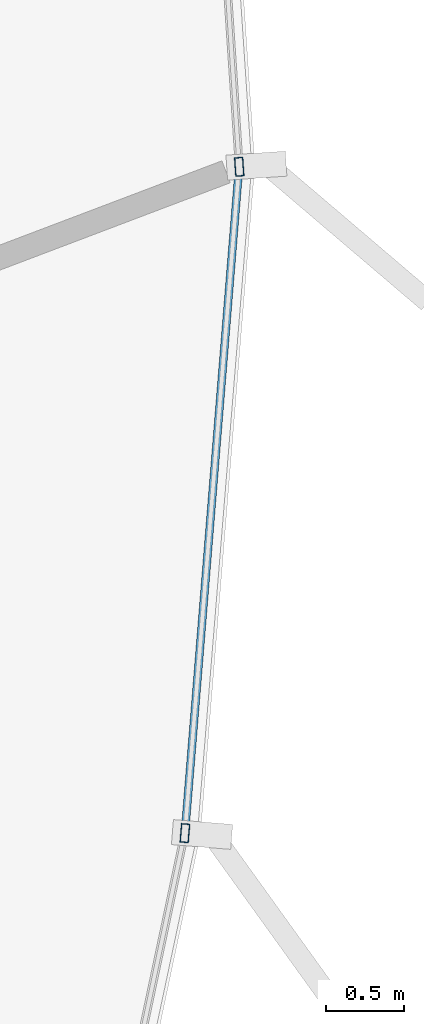
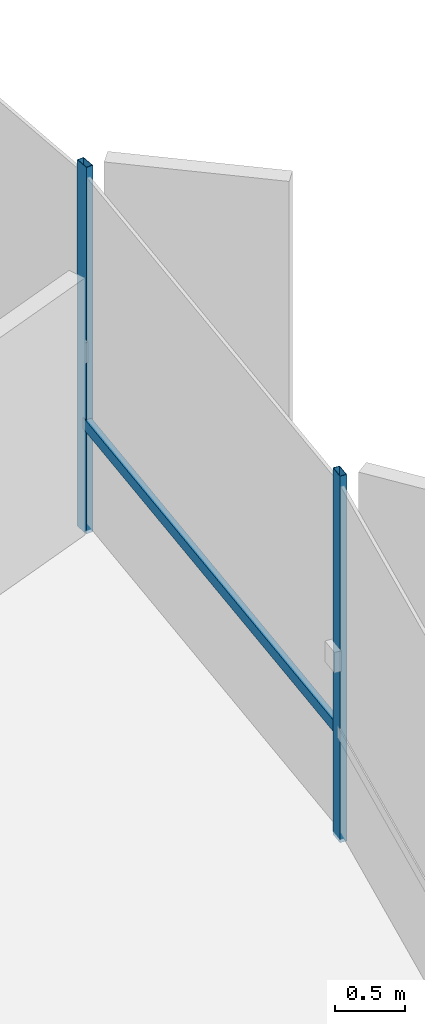
# One storey, part 18 of 35: 3 members, 1 element without a shape of its own.
"""IFC4 building model written with IfcOpenShell, lengths in metres."""

from ifc_helpers import new_model, si_unit, direction, frame, origin, origin_2d, place, context, subcontext, project, spatial, hollow_rectangle, extrude, source, transform, mapped, material, layer, layer_set, material_profile, profile_set, type_object, element, aggregate, save


model = new_model("IFC4")

# Units and contexts
model_context = context("Model", 3, precision=1e-05, world=origin(), true_north=direction((0.0, 1.0)))
body_context = subcontext(model_context, "Body", "Model", "MODEL_VIEW")
ifc_project = project(units=[si_unit("LENGTHUNIT", "METRE"), si_unit("AREAUNIT", "SQUARE_METRE"), si_unit("VOLUMEUNIT", "CUBIC_METRE"), si_unit("PLANEANGLEUNIT", "RADIAN"), si_unit("MASSUNIT", "GRAM", prefix="KILO"), si_unit("THERMODYNAMICTEMPERATUREUNIT", "KELVIN")], contexts=[model_context])

# Site, building, storey
site_placement = place(None, origin())
site = spatial("IfcSite", under=ifc_project, at=site_placement, CompositionType="ELEMENT")
building_placement = place(site_placement, origin())
building = spatial("IfcBuilding", under=site, at=building_placement, Name="Kethvar Cultural Tower", CompositionType="ELEMENT")
storey_placement = place(building_placement, frame((0.0, 0.0, 245.64990234375)))
storey = spatial("IfcBuildingStorey", under=building, at=storey_placement, Name="L64", CompositionType="ELEMENT", Elevation=245.64990234375)

# Curtain wall, members
ifc_material = material(Name="Aluminium 6063-T6", Category="aluminium")
ifc_layer = layer(ifc_material, 0.179931640625, Name="Aluminium 6063-T6", Category="aluminium")
ifc_layer_set = layer_set([ifc_layer], Name="Aluminium 6063-T6 (180 mm)")
curtain_wall_type = type_object("IfcCurtainWallType", Name="CW-SYS-05-Z56", PredefinedType="NOTDEFINED", material=ifc_layer_set)
curtain_wall_placement = place(storey_placement, origin())
curtain_wall = element("IfcCurtainWall", 1, at=curtain_wall_placement, inside=storey, type_object=curtain_wall_type, Name="L64 Curtain Wall Run 06", PredefinedType="NOTDEFINED")
ifc_material_profile_1 = material_profile(ifc_material, hollow_rectangle(XDim=0.054931640625, YDim=0.1201171875, WallThickness=0.00390625, at=origin_2d()), Name="Aluminium 6063-T6 — RHS120x55x4")
ifc_profile_set_1 = profile_set([ifc_material_profile_1], Name="Aluminium 6063-T6 — RHS120x55x4")
member_type_1 = type_object("IfcMemberType", Name="CW-SYS-05-Z56-MUL", PredefinedType="MULLION", material=ifc_profile_set_1)
shared_shape_1 = source(origin(), body_context, "Body", "SweptSolid", [
    extrude(hollow_rectangle(XDim=0.054931640625, YDim=0.1201171875, WallThickness=0.00390625, at=origin_2d()), origin(), (0.0, 0.0, 1.0), 3.210205078125),
])
member_1_placement = place(storey_placement, frame((68.1640625, 31.708740234375, 0.0), z_axis=(0.0, 0.0, 1.0), x_axis=(-0.99670992692, 0.081051351491, 0.0)))
member_1 = element("IfcMember", 2, at=member_1_placement, type_object=member_type_1, Name="CW-L64-R06 Mullion 2", PredefinedType="MULLION", context=body_context, shape_type="MappedRepresentation", body=[
    mapped(shared_shape_1, transform((0.0, 0.0, 0.0), scale=1.0)),
])
member_2_placement = place(storey_placement, frame((68.51123046875, 35.966552734375, 0.0), z_axis=(0.0, 0.0, 1.0), x_axis=(-0.997782922223, -0.066552536547, 0.0)))
member_2 = element("IfcMember", 3, at=member_2_placement, type_object=member_type_1, Name="CW-L64-R06 Mullion 3", PredefinedType="MULLION", context=body_context, shape_type="MappedRepresentation", body=[
    mapped(shared_shape_1, transform((0.0, 0.0, 0.0), scale=1.0)),
])
ifc_material_profile_2 = material_profile(ifc_material, hollow_rectangle(XDim=0.050048828125, YDim=0.10009765625, WallThickness=0.00390625, at=origin_2d()), Name="Aluminium 6063-T6 — RHS100x50x4")
ifc_profile_set_2 = profile_set([ifc_material_profile_2], Name="Aluminium 6063-T6 — RHS100x50x4")
member_type_2 = type_object("IfcMemberType", Name="CW-SYS-05-Z56-TRN", PredefinedType="USERDEFINED", material=ifc_profile_set_2)
shared_shape_2 = source(origin(), body_context, "Body", "SweptSolid", [
    extrude(hollow_rectangle(XDim=0.050048828125, YDim=0.10009765625, WallThickness=0.00390625, at=origin_2d()), origin(), (0.0, 0.0, 1.0), 4.20751953125),
])
member_3_placement = place(storey_placement, frame((68.167236328125, 31.748291015625, 0.9501953125), z_axis=(0.081062033783, 0.99670905819, 0.0), x_axis=(-0.99670905819, 0.081062033783, 0.0)))
member_3 = element("IfcMember", 4, at=member_3_placement, type_object=member_type_2, Name="CW-L64-R06 Transom 2", ObjectType="TRANSOM", PredefinedType="USERDEFINED", context=body_context, shape_type="MappedRepresentation", body=[
    mapped(shared_shape_2, transform((0.0, 0.0, 0.0), scale=1.0)),
])
aggregate(curtain_wall, [member_1, member_2, member_3])

save(model, "model.ifc")
